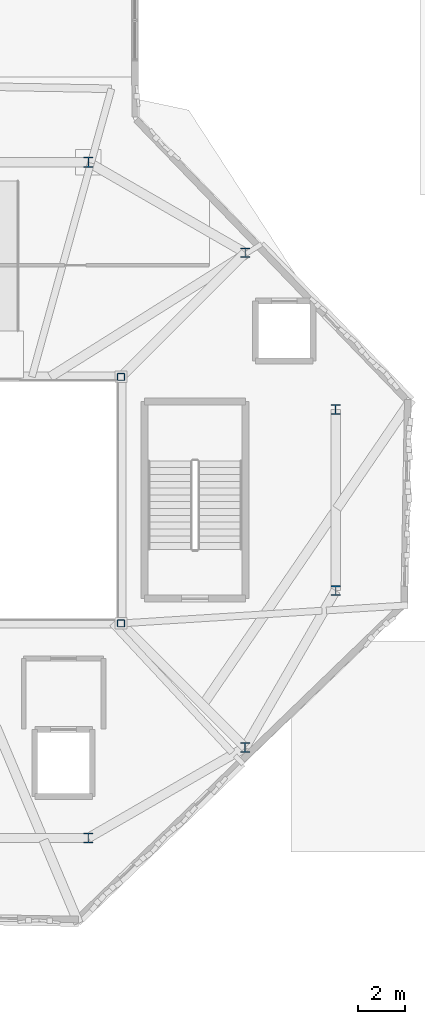
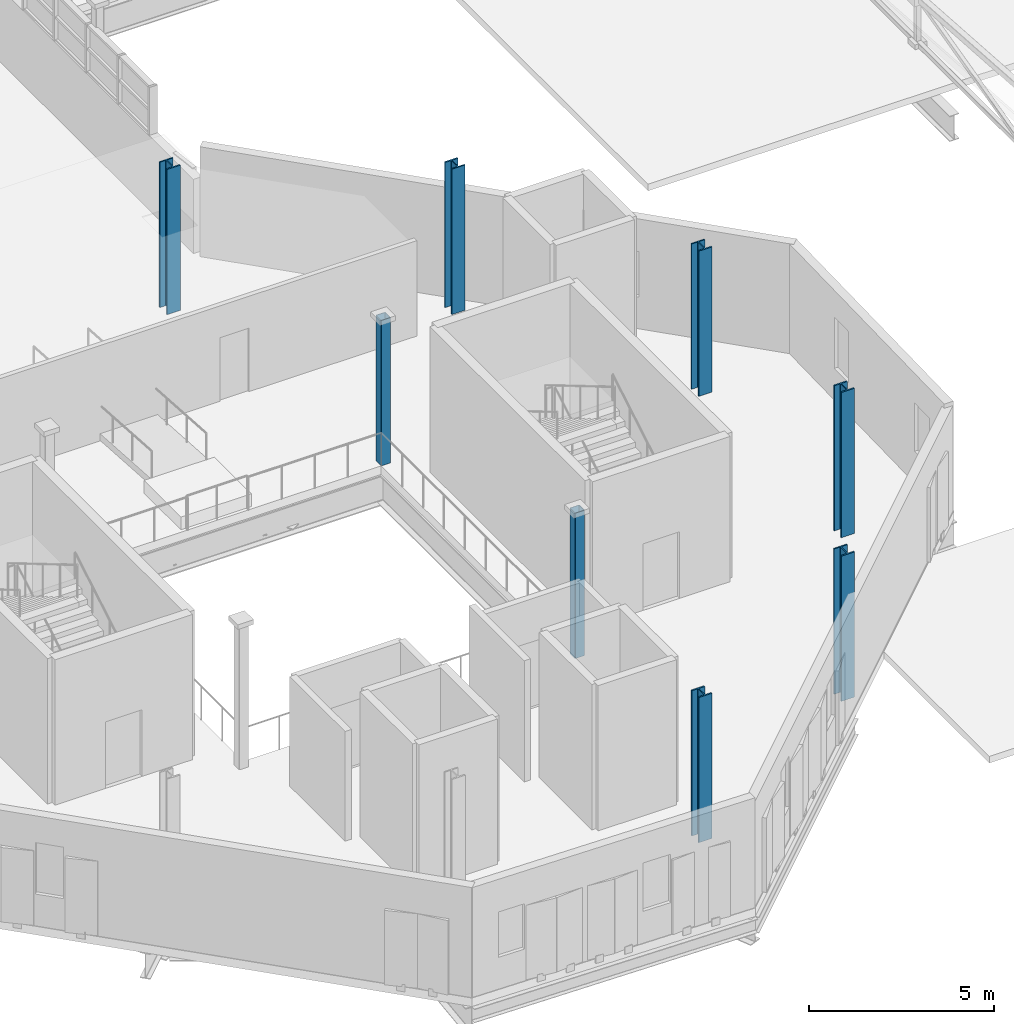
# One storey, part 3 of 85: 8 columns.
"""IFC4 building model written with IfcOpenShell, lengths in metres."""

import ifcopenshell
import ifcopenshell.guid

model = None  # the IFC model being written
_history = None  # IfcOwnerHistory: only IFC2X3 demands one
_inside = {}  # id of a spatial element -> (the spatial element, [elements in it])
_under = {}  # id of a project, library or spatial element -> (it, [spatial elements below it])
_declared = {}  # id of a project -> (the project, [libraries it declares])
_typed = {}  # id of a type object -> (the type object, [elements of that type])
_made_of = {}  # id of a material, layer set ... -> (it, [elements and type objects made of it])


def new_model(schema):
    """Start an empty IFC model of exactly this schema.

    Asked for "IFC4X3", IfcOpenShell would pick the latest addendum, in which some entities
    have other attributes; the version numbers below select the first issue.
    IFC2X3 requires an IfcOwnerHistory on every rooted entity: one is made here for all.
    """
    global model, _history
    if schema == "IFC4X3":
        model = ifcopenshell.file(schema_version=(4, 3, 0, 0))
    else:
        model = ifcopenshell.file(schema=schema)
    _inside.clear()
    _under.clear()
    _declared.clear()
    _typed.clear()
    _made_of.clear()
    _history = None
    if model.schema == "IFC2X3":
        org = make("IfcOrganization", Name="unknown")
        user = make(
            "IfcPersonAndOrganization",
            ThePerson=make("IfcPerson", FamilyName="unknown"),
            TheOrganization=org,
        )
        app = make(
            "IfcApplication",
            ApplicationDeveloper=org,
            Version="unknown",
            ApplicationFullName="unknown",
            ApplicationIdentifier="unknown",
        )
        _history = make(
            "IfcOwnerHistory",
            OwningUser=user,
            OwningApplication=app,
            ChangeAction="ADDED",
            CreationDate=0,
        )
    return model


def make(cls, **values):
    """One entity of the class cls with the attributes given. An attribute that is None is left unset."""
    return model.create_entity(
        cls, **{name: value for name, value in values.items() if value is not None}
    )


def rooted(cls, **values):
    """An entity with a GlobalId (a new one), such as an element, a storey or a relation."""
    return make(cls, GlobalId=ifcopenshell.guid.new(), OwnerHistory=_history, **values)


def si_unit(unit_type, name, prefix=None):
    """IfcSIUnit, for example si_unit("LENGTHUNIT", "METRE", prefix="MILLI")."""
    return make("IfcSIUnit", UnitType=unit_type, Prefix=prefix, Name=name)


def assignment(units):
    """IfcUnitAssignment: the units of a project."""
    return None if units is None else make("IfcUnitAssignment", Units=units)


def point(xyz):
    """IfcCartesianPoint."""
    return None if xyz is None else make("IfcCartesianPoint", Coordinates=xyz)


def direction(xyz):
    """IfcDirection."""
    return None if xyz is None else make("IfcDirection", DirectionRatios=xyz)


def frame(location, z_axis=None, x_axis=None):
    """IfcAxis2Placement3D, a coordinate frame: its origin and axes. An axis left out is left unset."""
    return make(
        "IfcAxis2Placement3D",
        Location=point(location),
        Axis=direction(z_axis),
        RefDirection=direction(x_axis),
    )


def frame_2d(location, x_axis=None):
    """IfcAxis2Placement2D, a coordinate frame in the plane: its origin and x axis."""
    return make(
        "IfcAxis2Placement2D", Location=point(location), RefDirection=direction(x_axis)
    )


def origin():
    """The frame at (0, 0, 0) with its axes left unset."""
    return frame((0.0, 0.0, 0.0))


def origin_2d():
    """The frame at (0, 0) in the plane with its x axis left unset."""
    return frame_2d((0.0, 0.0))


def place(relative_to, where):
    """IfcLocalPlacement: puts the frame where relative to a parent placement (None: the world)."""
    return make(
        "IfcLocalPlacement", PlacementRelTo=relative_to, RelativePlacement=where
    )


def context(
    kind, dimensions, precision=None, world=None, true_north=None, identifier=None
):
    """IfcGeometricRepresentationContext, for example the 3D "Model" context."""
    return make(
        "IfcGeometricRepresentationContext",
        ContextIdentifier=identifier,
        ContextType=kind,
        CoordinateSpaceDimension=dimensions,
        Precision=precision,
        WorldCoordinateSystem=world,
        TrueNorth=true_north,
    )


def subcontext(parent, identifier, kind, view, scale=None):
    """IfcGeometricRepresentationSubContext, for example "Body" below "Model"."""
    return make(
        "IfcGeometricRepresentationSubContext",
        ContextIdentifier=identifier,
        ContextType=kind,
        ParentContext=parent,
        TargetScale=scale,
        TargetView=view,
    )


def project(units=None, contexts=None):
    """IfcProject with its units and contexts."""
    return rooted(
        "IfcProject",
        Name="project",
        RepresentationContexts=contexts,
        UnitsInContext=assignment(units),
    )


def spatial(cls, under=None, at=None, **own):
    """A site, building, storey or space (cls), placed at a placement, below another one or the project."""
    s = rooted(cls, ObjectPlacement=at, **own)
    if under is not None:
        _under.setdefault(under.id(), (under, []))[1].append(s)
    return s


def profile(cls, at=None, kind="AREA", **sizes):
    """A parametric profile (cls). Its sizes go by their IFC names, for example OverallWidth=200.0."""
    return make(cls, ProfileType=kind, Position=at, **sizes)


def hollow_rectangle(**sizes):
    """IfcRectangleHollowProfileDef."""
    return profile("IfcRectangleHollowProfileDef", **sizes)


def i_section(**sizes):
    """IfcIShapeProfileDef."""
    return profile("IfcIShapeProfileDef", **sizes)


def extrude(swept, where, along, depth):
    """IfcExtrudedAreaSolid: the profile swept, set in the frame where, extruded along a direction by depth."""
    return make(
        "IfcExtrudedAreaSolid",
        SweptArea=swept,
        Position=where,
        ExtrudedDirection=direction(along),
        Depth=depth,
    )


def shape(context_of_items, identifier, shape_type, items):
    """IfcShapeRepresentation: the items that make up one representation, for example the "Body"."""
    return make(
        "IfcShapeRepresentation",
        ContextOfItems=context_of_items,
        RepresentationIdentifier=identifier,
        RepresentationType=shape_type,
        Items=items,
    )


def material(Name=None, Category=None):
    """IfcMaterial."""
    return make("IfcMaterial", Name=Name, Category=Category)


def material_profile(
    of_material, cross_section, Name=None, Category=None, Priority=None
):
    """IfcMaterialProfile: a cross section and its material."""
    return make(
        "IfcMaterialProfile",
        Name=Name,
        Material=of_material,
        Profile=cross_section,
        Priority=Priority,
        Category=Category,
    )


def profile_set(profiles, Name=None, composite=None):
    """IfcMaterialProfileSet."""
    return make(
        "IfcMaterialProfileSet",
        Name=Name,
        MaterialProfiles=profiles,
        CompositeProfile=composite,
    )


def made_of(thing, what):
    """Note that an element or type object is made of a material, layer set ...; save() writes the relation."""
    if what is not None:
        _made_of.setdefault(what.id(), (what, []))[1].append(thing)
    return thing


def type_object(cls, material=None, **own):
    """A type object (cls), such as IfcWallType, which elements share."""
    return made_of(rooted(cls, **own), material)


def element(
    cls,
    number,
    at=None,
    inside=None,
    cuts=None,
    type_object=None,
    material=None,
    context=None,
    identifier="Body",
    shape_type=None,
    held_by="IfcProductDefinitionShape",
    body=None,
    shapes=None,
    **own,
):
    """One element of the class cls, such as IfcWall. Its Tag is "e" and its number.

    at: its placement. inside: the storey or other place that contains it. cuts: it is an
    opening in that element (IfcRelVoidsElement). A single representation is given by context,
    identifier, shape_type and body (its items); several are given by shapes. held_by: the class
    of the entity that holds the representations. save() writes the other relations.
    """
    e = rooted(cls, Tag="e%d" % number, ObjectPlacement=at, **own)
    if body is not None:
        shapes = [shape(context, identifier, shape_type, body)]
    if shapes is not None:
        e.Representation = make(held_by, Representations=shapes)
    if inside is not None:
        _inside.setdefault(inside.id(), (inside, []))[1].append(e)
    if cuts is not None:
        rooted(
            "IfcRelVoidsElement", RelatingBuildingElement=cuts, RelatedOpeningElement=e
        )
    if type_object is not None:
        _typed.setdefault(type_object.id(), (type_object, []))[1].append(e)
    return made_of(e, material)


def aggregate(whole, parts):
    """IfcRelAggregates: a whole, such as a stair, and the parts it consists of."""
    return rooted("IfcRelAggregates", RelatingObject=whole, RelatedObjects=parts)


def save(model, path):
    """Write the relations noted so far, then the file.

    IfcRelAggregates (storeys below a building ...), IfcRelContainedInSpatialStructure (elements
    in a storey), IfcRelDefinesByType, IfcRelAssociatesMaterial and IfcRelDeclares: one each for
    every whole, place, type object, material and project.
    """
    for whole, parts in _under.values():
        aggregate(whole, parts)
    for where, things in _inside.values():
        rooted(
            "IfcRelContainedInSpatialStructure",
            RelatedElements=things,
            RelatingStructure=where,
        )
    for kind, things in _typed.values():
        rooted("IfcRelDefinesByType", RelatedObjects=things, RelatingType=kind)
    for what, things in _made_of.values():
        rooted("IfcRelAssociatesMaterial", RelatedObjects=things, RelatingMaterial=what)
    for by, libraries in _declared.values():
        rooted("IfcRelDeclares", RelatingContext=by, RelatedDefinitions=libraries)
    model.write(path)


model = new_model("IFC4")

# Units and contexts
model_context = context("Model", 3, precision=1e-05, world=origin(), true_north=direction((0.0, 1.0)))
body_context = subcontext(model_context, "Body", "Model", "MODEL_VIEW")
ifc_project = project(units=[si_unit("LENGTHUNIT", "METRE"), si_unit("AREAUNIT", "SQUARE_METRE"), si_unit("VOLUMEUNIT", "CUBIC_METRE"), si_unit("PLANEANGLEUNIT", "RADIAN"), si_unit("MASSUNIT", "GRAM", prefix="KILO"), si_unit("THERMODYNAMICTEMPERATUREUNIT", "KELVIN"), si_unit("POWERUNIT", "WATT")], contexts=[model_context])

# Site, building, storey
site_placement = place(None, origin())
site = spatial("IfcSite", under=ifc_project, at=site_placement, CompositionType="ELEMENT")
building_placement = place(site_placement, origin())
building = spatial("IfcBuilding", under=site, at=building_placement, Name="Zelmaris Science Centre", CompositionType="ELEMENT")
storey_placement = place(building_placement, frame((0.0, 0.0, 20.39990234375)))
storey = spatial("IfcBuildingStorey", under=building, at=storey_placement, Name="L04", CompositionType="ELEMENT", Elevation=20.39990234375)

# Columns
ifc_material_1 = material(Name="Steel ASTM A992 Grade 50", Category="steel")
ifc_material_profile_1 = material_profile(ifc_material_1, i_section(OverallWidth=0.412109375, OverallDepth=0.43408203125, WebThickness=0.035888671875, FlangeThickness=0.044189453125, FilletRadius=0.014892578125, at=origin_2d()), Name="W14X311")
ifc_profile_set_1 = profile_set([ifc_material_profile_1], Name="Steel ASTM A992 Grade 50")
column_type_1 = type_object("IfcColumnType", Name="Column C-01 W14X311", PredefinedType="COLUMN", material=ifc_profile_set_1)
for number, where, z_axis, x_axis, name in (
    (1, (95.392333984375, 39.8564453125, 0.0), (0.0, 0.0, 1.0), (1.0, 0.0, 0.0), "Column V2-MC01 L04"),
    (2, (84.8564453125, 50.392333984375, 0.0), (0.0, 0.0, 1.0), (1.0, 0.0, 0.0), "Column V2-MC03 L04"),
    (3, (91.535888671875, 25.464111328125, 0.0), (0.0, 0.0, 1.0), (1.0, 0.0, 0.0), "Column V2-MC11 L04"),
):
    element("IfcColumn", number, at=place(storey_placement, frame(where, z_axis=z_axis, x_axis=x_axis)), inside=storey, type_object=column_type_1, Name=name, PredefinedType="COLUMN", context=body_context, shape_type="SweptSolid", body=[
        extrude(i_section(OverallWidth=0.412109375, OverallDepth=0.43408203125, WebThickness=0.035888671875, FlangeThickness=0.044189453125, FilletRadius=0.014892578125, at=origin_2d()), origin(), (0.0, 0.0, 1.0), 4.800048828125),
    ])
ifc_material_profile_2 = material_profile(ifc_material_1, i_section(OverallWidth=0.406005859375, OverallDepth=0.4169921875, WebThickness=0.02978515625, FlangeThickness=0.04443359375, FilletRadius=0.014892578125, at=origin_2d()), Name="W14X257")
ifc_profile_set_2 = profile_set([ifc_material_profile_2], Name="Steel ASTM A992 Grade 50")
column_type_2 = type_object("IfcColumnType", Name="Column C-02 W14X257", PredefinedType="COLUMN", material=ifc_profile_set_2)
for number, where, z_axis, x_axis, name in (
    (4, (91.535888671875, 46.535888671875, 0.0), (0.0, 0.0, 1.0), (1.0, 0.0, 0.0), "Column V2-MC02 L04"),
    (5, (84.8564453125, 21.607666015625, 0.0), (0.0, 0.0, 1.0), (1.0, 0.0, 0.0), "Column V2-MC10 L04"),
    (6, (95.392333984375, 32.1435546875, 0.0), (0.0, 0.0, 1.0), (1.0, 0.0, 0.0), "Column V2-MC12 L04"),
):
    element("IfcColumn", number, at=place(storey_placement, frame(where, z_axis=z_axis, x_axis=x_axis)), inside=storey, type_object=column_type_2, Name=name, PredefinedType="COLUMN", context=body_context, shape_type="SweptSolid", body=[
        extrude(i_section(OverallWidth=0.406005859375, OverallDepth=0.4169921875, WebThickness=0.02978515625, FlangeThickness=0.04443359375, FilletRadius=0.014892578125, at=origin_2d()), origin(), (0.0, 0.0, 1.0), 4.800048828125),
    ])
ifc_material_2 = material(Name="Steel ASTM A500 Grade C", Category="steel")
ifc_material_profile_3 = material_profile(ifc_material_2, hollow_rectangle(XDim=0.3046875, YDim=0.3046875, WallThickness=0.0146484375, InnerFilletRadius=0.0146484375, OuterFilletRadius=0.029296875, at=origin_2d()), Name="HSS305X305X16")
ifc_profile_set_3 = profile_set([ifc_material_profile_3], Name="Steel ASTM A500 Grade C")
column_type_3 = type_object("IfcColumnType", Name="Column C-10 HSS305X305X16", PredefinedType="COLUMN", material=ifc_profile_set_3)
for number, where, z_axis, x_axis, name in (
    (7, (86.25, 30.75, 0.0), (0.0, 0.0, 1.0), (1.0, 0.0, 0.0), "Column V2-AC02 L04"),
    (8, (86.25, 41.25, 0.0), (0.0, 0.0, 1.0), (1.0, 0.0, 0.0), "Column V2-AC03 L04"),
):
    element("IfcColumn", number, at=place(storey_placement, frame(where, z_axis=z_axis, x_axis=x_axis)), inside=storey, type_object=column_type_3, Name=name, PredefinedType="COLUMN", context=body_context, shape_type="SweptSolid", body=[
        extrude(hollow_rectangle(XDim=0.3046875, YDim=0.3046875, WallThickness=0.0146484375, InnerFilletRadius=0.0146484375, OuterFilletRadius=0.029296875, at=origin_2d()), origin(), (0.0, 0.0, 1.0), 4.800048828125),
    ])

save(model, "model.ifc")
